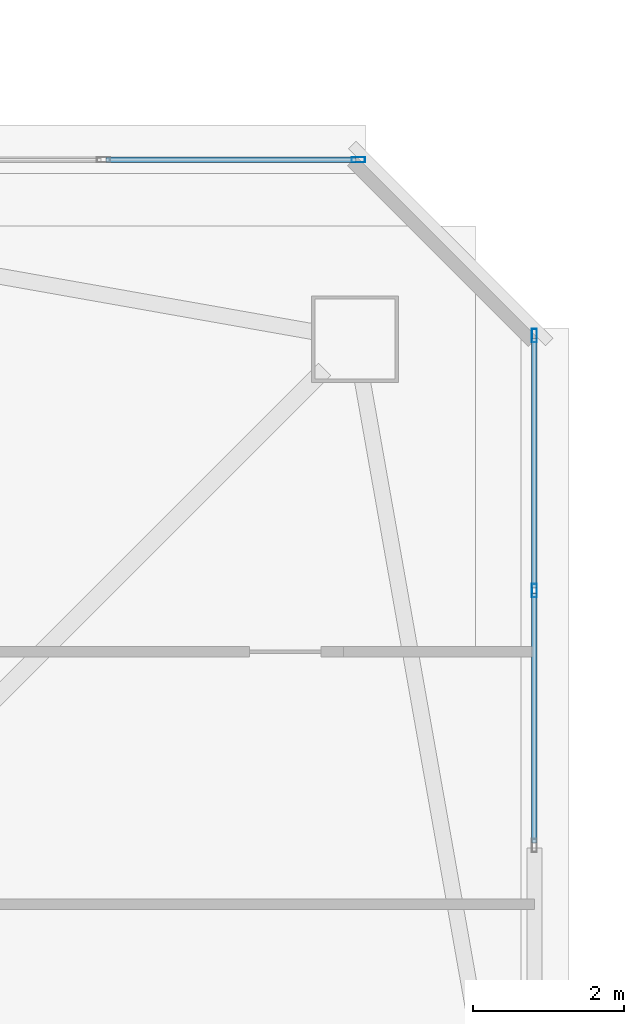
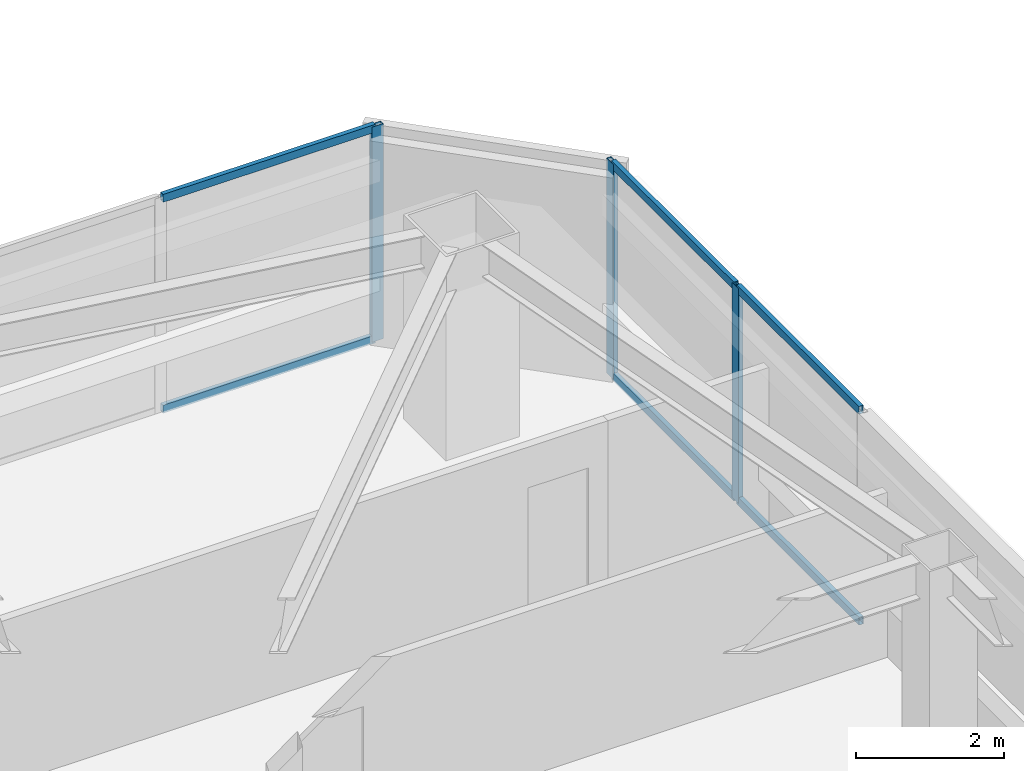
# One storey, part 16 of 43: 9 members, 2 elements without a shape of their own.
"""IFC4 building model written with IfcOpenShell, lengths in metres."""

import ifcopenshell
import ifcopenshell.guid

model = None  # the IFC model being written
_history = None  # IfcOwnerHistory: only IFC2X3 demands one
_inside = {}  # id of a spatial element -> (the spatial element, [elements in it])
_under = {}  # id of a project, library or spatial element -> (it, [spatial elements below it])
_declared = {}  # id of a project -> (the project, [libraries it declares])
_typed = {}  # id of a type object -> (the type object, [elements of that type])
_made_of = {}  # id of a material, layer set ... -> (it, [elements and type objects made of it])


def new_model(schema):
    """Start an empty IFC model of exactly this schema.

    Asked for "IFC4X3", IfcOpenShell would pick the latest addendum, in which some entities
    have other attributes; the version numbers below select the first issue.
    IFC2X3 requires an IfcOwnerHistory on every rooted entity: one is made here for all.
    """
    global model, _history
    if schema == "IFC4X3":
        model = ifcopenshell.file(schema_version=(4, 3, 0, 0))
    else:
        model = ifcopenshell.file(schema=schema)
    _inside.clear()
    _under.clear()
    _declared.clear()
    _typed.clear()
    _made_of.clear()
    _history = None
    if model.schema == "IFC2X3":
        org = make("IfcOrganization", Name="unknown")
        user = make(
            "IfcPersonAndOrganization",
            ThePerson=make("IfcPerson", FamilyName="unknown"),
            TheOrganization=org,
        )
        app = make(
            "IfcApplication",
            ApplicationDeveloper=org,
            Version="unknown",
            ApplicationFullName="unknown",
            ApplicationIdentifier="unknown",
        )
        _history = make(
            "IfcOwnerHistory",
            OwningUser=user,
            OwningApplication=app,
            ChangeAction="ADDED",
            CreationDate=0,
        )
    return model


def make(cls, **values):
    """One entity of the class cls with the attributes given. An attribute that is None is left unset."""
    return model.create_entity(
        cls, **{name: value for name, value in values.items() if value is not None}
    )


def rooted(cls, **values):
    """An entity with a GlobalId (a new one), such as an element, a storey or a relation."""
    return make(cls, GlobalId=ifcopenshell.guid.new(), OwnerHistory=_history, **values)


def si_unit(unit_type, name, prefix=None):
    """IfcSIUnit, for example si_unit("LENGTHUNIT", "METRE", prefix="MILLI")."""
    return make("IfcSIUnit", UnitType=unit_type, Prefix=prefix, Name=name)


def assignment(units):
    """IfcUnitAssignment: the units of a project."""
    return None if units is None else make("IfcUnitAssignment", Units=units)


def point(xyz):
    """IfcCartesianPoint."""
    return None if xyz is None else make("IfcCartesianPoint", Coordinates=xyz)


def direction(xyz):
    """IfcDirection."""
    return None if xyz is None else make("IfcDirection", DirectionRatios=xyz)


def frame(location, z_axis=None, x_axis=None):
    """IfcAxis2Placement3D, a coordinate frame: its origin and axes. An axis left out is left unset."""
    return make(
        "IfcAxis2Placement3D",
        Location=point(location),
        Axis=direction(z_axis),
        RefDirection=direction(x_axis),
    )


def frame_2d(location, x_axis=None):
    """IfcAxis2Placement2D, a coordinate frame in the plane: its origin and x axis."""
    return make(
        "IfcAxis2Placement2D", Location=point(location), RefDirection=direction(x_axis)
    )


def origin():
    """The frame at (0, 0, 0) with its axes left unset."""
    return frame((0.0, 0.0, 0.0))


def origin_2d():
    """The frame at (0, 0) in the plane with its x axis left unset."""
    return frame_2d((0.0, 0.0))


def place(relative_to, where):
    """IfcLocalPlacement: puts the frame where relative to a parent placement (None: the world)."""
    return make(
        "IfcLocalPlacement", PlacementRelTo=relative_to, RelativePlacement=where
    )


def context(
    kind, dimensions, precision=None, world=None, true_north=None, identifier=None
):
    """IfcGeometricRepresentationContext, for example the 3D "Model" context."""
    return make(
        "IfcGeometricRepresentationContext",
        ContextIdentifier=identifier,
        ContextType=kind,
        CoordinateSpaceDimension=dimensions,
        Precision=precision,
        WorldCoordinateSystem=world,
        TrueNorth=true_north,
    )


def subcontext(parent, identifier, kind, view, scale=None):
    """IfcGeometricRepresentationSubContext, for example "Body" below "Model"."""
    return make(
        "IfcGeometricRepresentationSubContext",
        ContextIdentifier=identifier,
        ContextType=kind,
        ParentContext=parent,
        TargetScale=scale,
        TargetView=view,
    )


def project(units=None, contexts=None):
    """IfcProject with its units and contexts."""
    return rooted(
        "IfcProject",
        Name="project",
        RepresentationContexts=contexts,
        UnitsInContext=assignment(units),
    )


def spatial(cls, under=None, at=None, **own):
    """A site, building, storey or space (cls), placed at a placement, below another one or the project."""
    s = rooted(cls, ObjectPlacement=at, **own)
    if under is not None:
        _under.setdefault(under.id(), (under, []))[1].append(s)
    return s


def profile(cls, at=None, kind="AREA", **sizes):
    """A parametric profile (cls). Its sizes go by their IFC names, for example OverallWidth=200.0."""
    return make(cls, ProfileType=kind, Position=at, **sizes)


def hollow_rectangle(**sizes):
    """IfcRectangleHollowProfileDef."""
    return profile("IfcRectangleHollowProfileDef", **sizes)


def extrude(swept, where, along, depth):
    """IfcExtrudedAreaSolid: the profile swept, set in the frame where, extruded along a direction by depth."""
    return make(
        "IfcExtrudedAreaSolid",
        SweptArea=swept,
        Position=where,
        ExtrudedDirection=direction(along),
        Depth=depth,
    )


def shape(context_of_items, identifier, shape_type, items):
    """IfcShapeRepresentation: the items that make up one representation, for example the "Body"."""
    return make(
        "IfcShapeRepresentation",
        ContextOfItems=context_of_items,
        RepresentationIdentifier=identifier,
        RepresentationType=shape_type,
        Items=items,
    )


def material(Name=None, Category=None):
    """IfcMaterial."""
    return make("IfcMaterial", Name=Name, Category=Category)


def material_profile(
    of_material, cross_section, Name=None, Category=None, Priority=None
):
    """IfcMaterialProfile: a cross section and its material."""
    return make(
        "IfcMaterialProfile",
        Name=Name,
        Material=of_material,
        Profile=cross_section,
        Priority=Priority,
        Category=Category,
    )


def profile_set(profiles, Name=None, composite=None):
    """IfcMaterialProfileSet."""
    return make(
        "IfcMaterialProfileSet",
        Name=Name,
        MaterialProfiles=profiles,
        CompositeProfile=composite,
    )


def made_of(thing, what):
    """Note that an element or type object is made of a material, layer set ...; save() writes the relation."""
    if what is not None:
        _made_of.setdefault(what.id(), (what, []))[1].append(thing)
    return thing


def type_object(cls, material=None, **own):
    """A type object (cls), such as IfcWallType, which elements share."""
    return made_of(rooted(cls, **own), material)


def element(
    cls,
    number,
    at=None,
    inside=None,
    cuts=None,
    type_object=None,
    material=None,
    context=None,
    identifier="Body",
    shape_type=None,
    held_by="IfcProductDefinitionShape",
    body=None,
    shapes=None,
    **own,
):
    """One element of the class cls, such as IfcWall. Its Tag is "e" and its number.

    at: its placement. inside: the storey or other place that contains it. cuts: it is an
    opening in that element (IfcRelVoidsElement). A single representation is given by context,
    identifier, shape_type and body (its items); several are given by shapes. held_by: the class
    of the entity that holds the representations. save() writes the other relations.
    """
    e = rooted(cls, Tag="e%d" % number, ObjectPlacement=at, **own)
    if body is not None:
        shapes = [shape(context, identifier, shape_type, body)]
    if shapes is not None:
        e.Representation = make(held_by, Representations=shapes)
    if inside is not None:
        _inside.setdefault(inside.id(), (inside, []))[1].append(e)
    if cuts is not None:
        rooted(
            "IfcRelVoidsElement", RelatingBuildingElement=cuts, RelatedOpeningElement=e
        )
    if type_object is not None:
        _typed.setdefault(type_object.id(), (type_object, []))[1].append(e)
    return made_of(e, material)


def aggregate(whole, parts):
    """IfcRelAggregates: a whole, such as a stair, and the parts it consists of."""
    return rooted("IfcRelAggregates", RelatingObject=whole, RelatedObjects=parts)


def save(model, path):
    """Write the relations noted so far, then the file.

    IfcRelAggregates (storeys below a building ...), IfcRelContainedInSpatialStructure (elements
    in a storey), IfcRelDefinesByType, IfcRelAssociatesMaterial and IfcRelDeclares: one each for
    every whole, place, type object, material and project.
    """
    for whole, parts in _under.values():
        aggregate(whole, parts)
    for where, things in _inside.values():
        rooted(
            "IfcRelContainedInSpatialStructure",
            RelatedElements=things,
            RelatingStructure=where,
        )
    for kind, things in _typed.values():
        rooted("IfcRelDefinesByType", RelatedObjects=things, RelatingType=kind)
    for what, things in _made_of.values():
        rooted("IfcRelAssociatesMaterial", RelatedObjects=things, RelatingMaterial=what)
    for by, libraries in _declared.values():
        rooted("IfcRelDeclares", RelatingContext=by, RelatedDefinitions=libraries)
    model.write(path)


model = new_model("IFC4")

# Units and contexts
model_context = context("Model", 3, precision=1e-05, world=origin(), true_north=direction((0.0, 1.0)))
body_context = subcontext(model_context, "Body", "Model", "MODEL_VIEW")
ifc_project = project(units=[si_unit("LENGTHUNIT", "METRE"), si_unit("AREAUNIT", "SQUARE_METRE"), si_unit("VOLUMEUNIT", "CUBIC_METRE"), si_unit("PLANEANGLEUNIT", "RADIAN"), si_unit("MASSUNIT", "GRAM", prefix="KILO")], contexts=[model_context])

# Site, building, storey
site_placement = place(None, origin())
site = spatial("IfcSite", under=ifc_project, at=site_placement, CompositionType="ELEMENT")
building_placement = place(site_placement, origin())
building = spatial("IfcBuilding", under=site, at=building_placement, Name="Tashvorn Skyway Center", CompositionType="ELEMENT")
storey_placement = place(building_placement, frame((0.0, 0.0, 185.39990234375)))
storey = spatial("IfcBuildingStorey", under=building, at=storey_placement, Name="L50", CompositionType="ELEMENT", Elevation=185.39990234375)

# Curtain wall, member
ifc_material = material(Name="Thermally broken bronze-anodized aluminium 6063-T6", Category="aluminium")
curtain_wall_type = type_object("IfcCurtainWallType", Name="CW-CW-Z4", PredefinedType="NOTDEFINED", material=ifc_material)
curtain_wall_1_placement = place(storey_placement, origin())
curtain_wall_1 = element("IfcCurtainWall", 1, at=curtain_wall_1_placement, inside=storey, type_object=curtain_wall_type, Name="Tower 1 L50 North Unitised Curtain Wall Glazing Group 3", PredefinedType="NOTDEFINED")
ifc_material_profile_1 = material_profile(ifc_material, hollow_rectangle(XDim=0.070068359375, YDim=0.179931640625, WallThickness=0.00390625, at=origin_2d()), Name="ALU-MULL-70x180")
ifc_profile_set_1 = profile_set([ifc_material_profile_1], Name="Thermally broken bronze-anodized aluminium 6063-T6")
member_type_1 = type_object("IfcMemberType", Name="CWM-CW-Z4", PredefinedType="MULLION", material=ifc_profile_set_1)
member_1_placement = place(storey_placement, frame((57.344970703125, 49.679931640625, 0.0), z_axis=(0.0, 0.0, 1.0), x_axis=(0.0, 1.0, 0.0)))
member_1 = element("IfcMember", 2, at=member_1_placement, type_object=member_type_1, Name="CW-Z4 mullion 3", PredefinedType="MULLION", context=body_context, shape_type="SweptSolid", body=[
    extrude(hollow_rectangle(XDim=0.070068359375, YDim=0.179931640625, WallThickness=0.00390625, at=origin_2d()), origin(), (0.0, 0.0, 1.0), 3.550048828125),
])

# Curtain wall, members
curtain_wall_2_placement = place(storey_placement, origin())
curtain_wall_2 = element("IfcCurtainWall", 3, at=curtain_wall_2_placement, inside=storey, type_object=curtain_wall_type, Name="Tower 1 L50 East Unitised Curtain Wall Glazing Group 1", PredefinedType="NOTDEFINED")
member_2_placement = place(storey_placement, frame((59.679931640625, 47.344970703125, 0.0), z_axis=(0.0, 0.0, 1.0), x_axis=(1.0, 0.0, 0.0)))
member_2 = element("IfcMember", 4, at=member_2_placement, type_object=member_type_1, Name="CW-Z4 mullion 1", PredefinedType="MULLION", context=body_context, shape_type="SweptSolid", body=[
    extrude(hollow_rectangle(XDim=0.070068359375, YDim=0.179931640625, WallThickness=0.00390625, at=origin_2d()), origin(), (0.0, 0.0, 1.0), 3.550048828125),
])
member_3_placement = place(storey_placement, frame((59.679931640625, 43.962158203125, 0.0), z_axis=(0.0, 0.0, 1.0), x_axis=(1.0, 0.0, 0.0)))
member_3 = element("IfcMember", 5, at=member_3_placement, type_object=member_type_1, Name="CW-Z4 mullion 2", PredefinedType="MULLION", context=body_context, shape_type="SweptSolid", body=[
    extrude(hollow_rectangle(XDim=0.070068359375, YDim=0.179931640625, WallThickness=0.00390625, at=origin_2d()), origin(), (0.0, 0.0, 1.0), 3.550048828125),
])

# Member
ifc_material_profile_2 = material_profile(ifc_material, hollow_rectangle(XDim=0.070068359375, YDim=0.1298828125, WallThickness=0.00390625, at=origin_2d()), Name="ALU-TRAN-70x130")
ifc_profile_set_2 = profile_set([ifc_material_profile_2], Name="Thermally broken bronze-anodized aluminium 6063-T6")
member_type_2 = type_object("IfcMemberType", Name="CWT-CW-Z4", PredefinedType="USERDEFINED", material=ifc_profile_set_2)
member_4_placement = place(storey_placement, frame((53.997314453125, 49.679931640625, 0.03515625), z_axis=(1.0, 0.0, 0.0), x_axis=(0.0, 1.0, 0.0)))
member_4 = element("IfcMember", 6, at=member_4_placement, type_object=member_type_2, Name="CW-Z4 transom 2.1", ObjectType="TRANSOM", PredefinedType="USERDEFINED", context=body_context, shape_type="SweptSolid", body=[
    extrude(hollow_rectangle(XDim=0.070068359375, YDim=0.1298828125, WallThickness=0.00390625, at=origin_2d()), origin(), (0.0, 0.0, 1.0), 3.312744140625),
])

member_5_placement = place(storey_placement, frame((53.997314453125, 49.679931640625, 3.51513671875), z_axis=(1.0, 0.0, 0.0), x_axis=(0.0, 1.0, 0.0)))
member_5 = element("IfcMember", 7, at=member_5_placement, type_object=member_type_2, Name="CW-Z4 transom 2.2", ObjectType="TRANSOM", PredefinedType="USERDEFINED", context=body_context, shape_type="SweptSolid", body=[
    extrude(hollow_rectangle(XDim=0.070068359375, YDim=0.1298828125, WallThickness=0.00390625, at=origin_2d()), origin(), (0.0, 0.0, 1.0), 3.312744140625),
])

aggregate(curtain_wall_1, [member_1, member_4, member_5])

member_6_placement = place(storey_placement, frame((59.679931640625, 47.31005859375, 0.03515625), z_axis=(0.0, -1.0, 0.0), x_axis=(1.0, 0.0, 0.0)))
member_6 = element("IfcMember", 8, at=member_6_placement, type_object=member_type_2, Name="CW-Z4 transom 1.1", ObjectType="TRANSOM", PredefinedType="USERDEFINED", context=body_context, shape_type="SweptSolid", body=[
    extrude(hollow_rectangle(XDim=0.070068359375, YDim=0.1298828125, WallThickness=0.00390625, at=origin_2d()), origin(), (0.0, 0.0, 1.0), 3.312744140625),
])

member_7_placement = place(storey_placement, frame((59.679931640625, 47.31005859375, 3.51513671875), z_axis=(0.0, -1.0, 0.0), x_axis=(1.0, 0.0, 0.0)))
member_7 = element("IfcMember", 9, at=member_7_placement, type_object=member_type_2, Name="CW-Z4 transom 1.2", ObjectType="TRANSOM", PredefinedType="USERDEFINED", context=body_context, shape_type="SweptSolid", body=[
    extrude(hollow_rectangle(XDim=0.070068359375, YDim=0.1298828125, WallThickness=0.00390625, at=origin_2d()), origin(), (0.0, 0.0, 1.0), 3.312744140625),
])

member_8_placement = place(storey_placement, frame((59.679931640625, 43.92724609375, 0.03515625), z_axis=(0.0, -1.0, 0.0), x_axis=(1.0, 0.0, 0.0)))
member_8 = element("IfcMember", 10, at=member_8_placement, type_object=member_type_2, Name="CW-Z4 transom 2.1", ObjectType="TRANSOM", PredefinedType="USERDEFINED", context=body_context, shape_type="SweptSolid", body=[
    extrude(hollow_rectangle(XDim=0.070068359375, YDim=0.1298828125, WallThickness=0.00390625, at=origin_2d()), origin(), (0.0, 0.0, 1.0), 3.312744140625),
])

member_9_placement = place(storey_placement, frame((59.679931640625, 43.92724609375, 3.51513671875), z_axis=(0.0, -1.0, 0.0), x_axis=(1.0, 0.0, 0.0)))
member_9 = element("IfcMember", 11, at=member_9_placement, type_object=member_type_2, Name="CW-Z4 transom 2.2", ObjectType="TRANSOM", PredefinedType="USERDEFINED", context=body_context, shape_type="SweptSolid", body=[
    extrude(hollow_rectangle(XDim=0.070068359375, YDim=0.1298828125, WallThickness=0.00390625, at=origin_2d()), origin(), (0.0, 0.0, 1.0), 3.312744140625),
])

aggregate(curtain_wall_2, [member_2, member_3, member_6, member_7, member_8, member_9])

save(model, "model.ifc")
